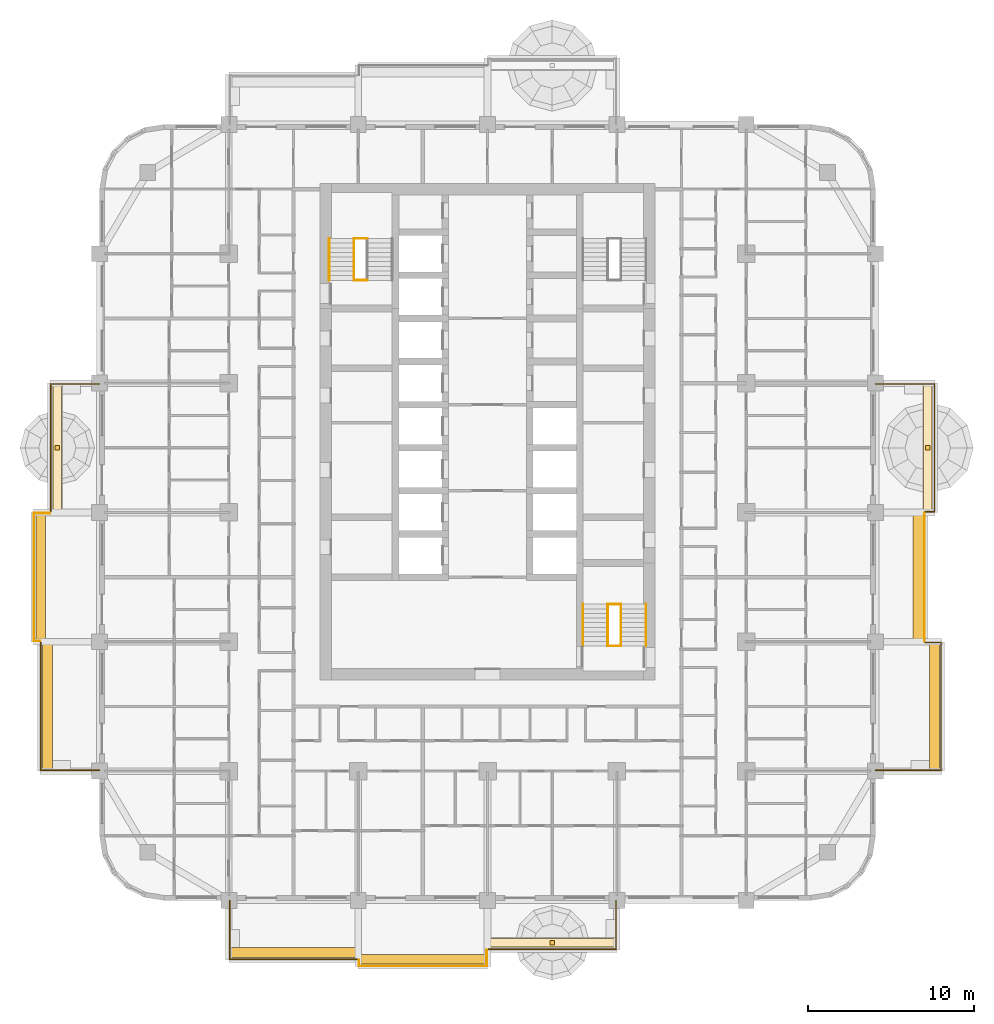
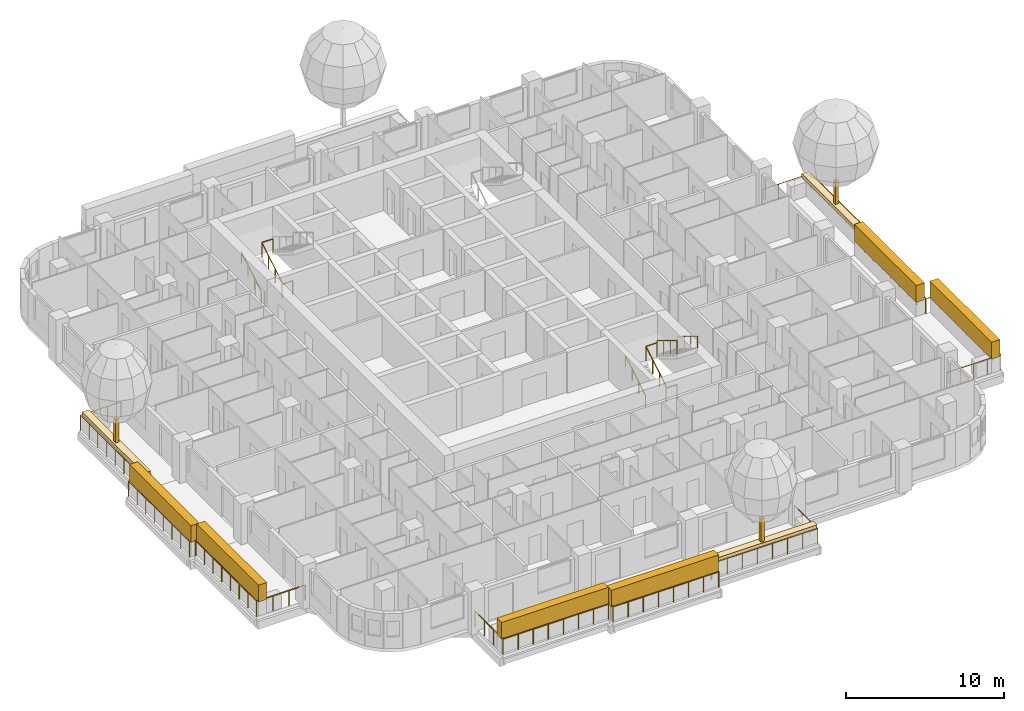
# One storey, part 16 of 18: 19 railings, 12 coverings, 2 elements without a shape of their own.
"""IFC4 building model written with IfcOpenShell, lengths in metres."""

import ifcopenshell
import ifcopenshell.guid

model = None  # the IFC model being written
_history = None  # IfcOwnerHistory: only IFC2X3 demands one
_inside = {}  # id of a spatial element -> (the spatial element, [elements in it])
_under = {}  # id of a project, library or spatial element -> (it, [spatial elements below it])
_declared = {}  # id of a project -> (the project, [libraries it declares])
_typed = {}  # id of a type object -> (the type object, [elements of that type])
_made_of = {}  # id of a material, layer set ... -> (it, [elements and type objects made of it])


def new_model(schema):
    """Start an empty IFC model of exactly this schema.

    Asked for "IFC4X3", IfcOpenShell would pick the latest addendum, in which some entities
    have other attributes; the version numbers below select the first issue.
    IFC2X3 requires an IfcOwnerHistory on every rooted entity: one is made here for all.
    """
    global model, _history
    if schema == "IFC4X3":
        model = ifcopenshell.file(schema_version=(4, 3, 0, 0))
    else:
        model = ifcopenshell.file(schema=schema)
    _inside.clear()
    _under.clear()
    _declared.clear()
    _typed.clear()
    _made_of.clear()
    _history = None
    if model.schema == "IFC2X3":
        org = make("IfcOrganization", Name="unknown")
        user = make(
            "IfcPersonAndOrganization",
            ThePerson=make("IfcPerson", FamilyName="unknown"),
            TheOrganization=org,
        )
        app = make(
            "IfcApplication",
            ApplicationDeveloper=org,
            Version="unknown",
            ApplicationFullName="unknown",
            ApplicationIdentifier="unknown",
        )
        _history = make(
            "IfcOwnerHistory",
            OwningUser=user,
            OwningApplication=app,
            ChangeAction="ADDED",
            CreationDate=0,
        )
    return model


def make(cls, **values):
    """One entity of the class cls with the attributes given. An attribute that is None is left unset."""
    return model.create_entity(
        cls, **{name: value for name, value in values.items() if value is not None}
    )


def rooted(cls, **values):
    """An entity with a GlobalId (a new one), such as an element, a storey or a relation."""
    return make(cls, GlobalId=ifcopenshell.guid.new(), OwnerHistory=_history, **values)


def si_unit(unit_type, name, prefix=None):
    """IfcSIUnit, for example si_unit("LENGTHUNIT", "METRE", prefix="MILLI")."""
    return make("IfcSIUnit", UnitType=unit_type, Prefix=prefix, Name=name)


def assignment(units):
    """IfcUnitAssignment: the units of a project."""
    return None if units is None else make("IfcUnitAssignment", Units=units)


def point(xyz):
    """IfcCartesianPoint."""
    return None if xyz is None else make("IfcCartesianPoint", Coordinates=xyz)


def direction(xyz):
    """IfcDirection."""
    return None if xyz is None else make("IfcDirection", DirectionRatios=xyz)


def frame(location, z_axis=None, x_axis=None):
    """IfcAxis2Placement3D, a coordinate frame: its origin and axes. An axis left out is left unset."""
    return make(
        "IfcAxis2Placement3D",
        Location=point(location),
        Axis=direction(z_axis),
        RefDirection=direction(x_axis),
    )


def frame_2d(location, x_axis=None):
    """IfcAxis2Placement2D, a coordinate frame in the plane: its origin and x axis."""
    return make(
        "IfcAxis2Placement2D", Location=point(location), RefDirection=direction(x_axis)
    )


def origin():
    """The frame at (0, 0, 0) with its axes left unset."""
    return frame((0.0, 0.0, 0.0))


def origin_2d():
    """The frame at (0, 0) in the plane with its x axis left unset."""
    return frame_2d((0.0, 0.0))


def place(relative_to, where):
    """IfcLocalPlacement: puts the frame where relative to a parent placement (None: the world)."""
    return make(
        "IfcLocalPlacement", PlacementRelTo=relative_to, RelativePlacement=where
    )


def context(
    kind, dimensions, precision=None, world=None, true_north=None, identifier=None
):
    """IfcGeometricRepresentationContext, for example the 3D "Model" context."""
    return make(
        "IfcGeometricRepresentationContext",
        ContextIdentifier=identifier,
        ContextType=kind,
        CoordinateSpaceDimension=dimensions,
        Precision=precision,
        WorldCoordinateSystem=world,
        TrueNorth=true_north,
    )


def subcontext(parent, identifier, kind, view, scale=None):
    """IfcGeometricRepresentationSubContext, for example "Body" below "Model"."""
    return make(
        "IfcGeometricRepresentationSubContext",
        ContextIdentifier=identifier,
        ContextType=kind,
        ParentContext=parent,
        TargetScale=scale,
        TargetView=view,
    )


def project(units=None, contexts=None):
    """IfcProject with its units and contexts."""
    return rooted(
        "IfcProject",
        Name="project",
        RepresentationContexts=contexts,
        UnitsInContext=assignment(units),
    )


def spatial(cls, under=None, at=None, **own):
    """A site, building, storey or space (cls), placed at a placement, below another one or the project."""
    s = rooted(cls, ObjectPlacement=at, **own)
    if under is not None:
        _under.setdefault(under.id(), (under, []))[1].append(s)
    return s


def profile(cls, at=None, kind="AREA", **sizes):
    """A parametric profile (cls). Its sizes go by their IFC names, for example OverallWidth=200.0."""
    return make(cls, ProfileType=kind, Position=at, **sizes)


def rectangle(**sizes):
    """IfcRectangleProfileDef."""
    return profile("IfcRectangleProfileDef", **sizes)


def circle(**sizes):
    """IfcCircleProfileDef."""
    return profile("IfcCircleProfileDef", **sizes)


def extrude(swept, where, along, depth):
    """IfcExtrudedAreaSolid: the profile swept, set in the frame where, extruded along a direction by depth."""
    return make(
        "IfcExtrudedAreaSolid",
        SweptArea=swept,
        Position=where,
        ExtrudedDirection=direction(along),
        Depth=depth,
    )


def shape(context_of_items, identifier, shape_type, items):
    """IfcShapeRepresentation: the items that make up one representation, for example the "Body"."""
    return make(
        "IfcShapeRepresentation",
        ContextOfItems=context_of_items,
        RepresentationIdentifier=identifier,
        RepresentationType=shape_type,
        Items=items,
    )


def material(Name=None, Category=None):
    """IfcMaterial."""
    return make("IfcMaterial", Name=Name, Category=Category)


def layer(
    of_material, thickness, ventilated=None, Name=None, Category=None, Priority=None
):
    """IfcMaterialLayer: one layer of a wall or slab, of a material (None: an air gap)."""
    return make(
        "IfcMaterialLayer",
        Material=of_material,
        LayerThickness=thickness,
        IsVentilated=ventilated,
        Name=Name,
        Category=Category,
        Priority=Priority,
    )


def layer_set(layers, Name=None):
    """IfcMaterialLayerSet."""
    return make("IfcMaterialLayerSet", MaterialLayers=layers, LayerSetName=Name)


def made_of(thing, what):
    """Note that an element or type object is made of a material, layer set ...; save() writes the relation."""
    if what is not None:
        _made_of.setdefault(what.id(), (what, []))[1].append(thing)
    return thing


def type_object(cls, material=None, **own):
    """A type object (cls), such as IfcWallType, which elements share."""
    return made_of(rooted(cls, **own), material)


def element(
    cls,
    number,
    at=None,
    inside=None,
    cuts=None,
    type_object=None,
    material=None,
    context=None,
    identifier="Body",
    shape_type=None,
    held_by="IfcProductDefinitionShape",
    body=None,
    shapes=None,
    **own,
):
    """One element of the class cls, such as IfcWall. Its Tag is "e" and its number.

    at: its placement. inside: the storey or other place that contains it. cuts: it is an
    opening in that element (IfcRelVoidsElement). A single representation is given by context,
    identifier, shape_type and body (its items); several are given by shapes. held_by: the class
    of the entity that holds the representations. save() writes the other relations.
    """
    e = rooted(cls, Tag="e%d" % number, ObjectPlacement=at, **own)
    if body is not None:
        shapes = [shape(context, identifier, shape_type, body)]
    if shapes is not None:
        e.Representation = make(held_by, Representations=shapes)
    if inside is not None:
        _inside.setdefault(inside.id(), (inside, []))[1].append(e)
    if cuts is not None:
        rooted(
            "IfcRelVoidsElement", RelatingBuildingElement=cuts, RelatedOpeningElement=e
        )
    if type_object is not None:
        _typed.setdefault(type_object.id(), (type_object, []))[1].append(e)
    return made_of(e, material)


def aggregate(whole, parts):
    """IfcRelAggregates: a whole, such as a stair, and the parts it consists of."""
    return rooted("IfcRelAggregates", RelatingObject=whole, RelatedObjects=parts)


def save(model, path):
    """Write the relations noted so far, then the file.

    IfcRelAggregates (storeys below a building ...), IfcRelContainedInSpatialStructure (elements
    in a storey), IfcRelDefinesByType, IfcRelAssociatesMaterial and IfcRelDeclares: one each for
    every whole, place, type object, material and project.
    """
    for whole, parts in _under.values():
        aggregate(whole, parts)
    for where, things in _inside.values():
        rooted(
            "IfcRelContainedInSpatialStructure",
            RelatedElements=things,
            RelatingStructure=where,
        )
    for kind, things in _typed.values():
        rooted("IfcRelDefinesByType", RelatedObjects=things, RelatingType=kind)
    for what, things in _made_of.values():
        rooted("IfcRelAssociatesMaterial", RelatedObjects=things, RelatingMaterial=what)
    for by, libraries in _declared.values():
        rooted("IfcRelDeclares", RelatingContext=by, RelatedDefinitions=libraries)
    model.write(path)


model = new_model("IFC4")

# Units and contexts
model_context = context("Model", 3, precision=1e-05, world=origin(), true_north=direction((0.0, 1.0)))
body_context = subcontext(model_context, "Body", "Model", "MODEL_VIEW")
ifc_project = project(units=[si_unit("LENGTHUNIT", "METRE"), si_unit("AREAUNIT", "SQUARE_METRE"), si_unit("VOLUMEUNIT", "CUBIC_METRE"), si_unit("PLANEANGLEUNIT", "RADIAN"), si_unit("MASSUNIT", "GRAM", prefix="KILO")], contexts=[model_context])

# Site, building, storey
site_placement = place(None, origin())
site = spatial("IfcSite", under=ifc_project, at=site_placement, CompositionType="ELEMENT")
building_placement = place(site_placement, origin())
building = spatial("IfcBuilding", under=site, at=building_placement, Name="Ludao Terraces", CompositionType="ELEMENT")
storey_placement = place(building_placement, frame((0.0, 0.0, 58.0)))
storey = spatial("IfcBuildingStorey", under=building, at=storey_placement, Name="L15", CompositionType="ELEMENT", Elevation=58.0)

# Railings
ifc_material_1 = material(Name="Stainless steel 304", Category="steel")
railing_type_1 = type_object("IfcRailingType", Name="ENV Balcony glass guard 1200", PredefinedType="GUARDRAIL", material=ifc_material_1)
railing_1_placement = place(storey_placement, frame((69.449951171875, 41.60009765625, 0.0)))
element("IfcRailing", 1, at=railing_1_placement, inside=storey, type_object=railing_type_1, Name="Balcony guard L15 S1", PredefinedType="GUARDRAIL", context=body_context, shape_type="SweptSolid", body=[
    extrude(circle(Radius=0.02392578125, at=origin_2d()), frame((0.0, 0.0, 1.17578125), z_axis=(0.0, -1.0, 0.0), x_axis=(1.0, 0.0, 0.0)), (0.0, 0.0, 1.0), 3.550048828125),
    extrude(circle(Radius=0.02392578125, at=origin_2d()), frame((0.0, -3.550048828125, 1.17578125), z_axis=(1.0, 0.0, 0.0), x_axis=(0.0, 1.0, 0.0)), (0.0, 0.0, 1.0), 7.699951171875),
    extrude(circle(Radius=0.02099609375, at=origin_2d()), origin(), (0.0, 0.0, 1.0), 1.15185546875),
    extrude(circle(Radius=0.02099609375, at=origin_2d()), frame((0.0, -1.183349609375, 0.0)), (0.0, 0.0, 1.0), 1.15185546875),
    extrude(circle(Radius=0.02099609375, at=origin_2d()), frame((0.0, -2.36669921875, 0.0)), (0.0, 0.0, 1.0), 1.15185546875),
    extrude(circle(Radius=0.02099609375, at=origin_2d()), frame((0.0, -3.550048828125, 0.0)), (0.0, 0.0, 1.0), 1.15185546875),
    extrude(circle(Radius=0.02099609375, at=origin_2d()), frame((1.10009765625, -3.550048828125, 0.0)), (0.0, 0.0, 1.0), 1.15185546875),
    extrude(circle(Radius=0.02099609375, at=origin_2d()), frame((2.199951171875, -3.550048828125, 0.0)), (0.0, 0.0, 1.0), 1.15185546875),
    extrude(circle(Radius=0.02099609375, at=origin_2d()), frame((3.300048828125, -3.550048828125, 0.0)), (0.0, 0.0, 1.0), 1.15185546875),
    extrude(circle(Radius=0.02099609375, at=origin_2d()), frame((4.39990234375, -3.550048828125, 0.0)), (0.0, 0.0, 1.0), 1.15185546875),
    extrude(circle(Radius=0.02099609375, at=origin_2d()), frame((5.5, -3.550048828125, 0.0)), (0.0, 0.0, 1.0), 1.15185546875),
    extrude(circle(Radius=0.02099609375, at=origin_2d()), frame((6.599853515625, -3.550048828125, 0.0)), (0.0, 0.0, 1.0), 1.15185546875),
    extrude(circle(Radius=0.02099609375, at=origin_2d()), frame((7.699951171875, -3.550048828125, 0.0)), (0.0, 0.0, 1.0), 1.15185546875),
])
railing_2_placement = place(storey_placement, frame((77.25, 38.0, 0.0)))
element("IfcRailing", 2, at=railing_2_placement, inside=storey, type_object=railing_type_1, Name="Balcony guard L15 S2", PredefinedType="GUARDRAIL", context=body_context, shape_type="SweptSolid", body=[
    extrude(circle(Radius=0.02392578125, at=origin_2d()), frame((0.0, 0.0, 1.17578125), z_axis=(0.0, -1.0, 0.0), x_axis=(1.0, 0.0, 0.0)), (0.0, 0.0, 1.0), 0.35009765625),
    extrude(circle(Radius=0.02392578125, at=origin_2d()), frame((0.0, -0.35009765625, 1.17578125), z_axis=(1.0, 0.0, 0.0), x_axis=(0.0, 1.0, 0.0)), (0.0, 0.0, 1.0), 7.699951171875),
    extrude(circle(Radius=0.02392578125, at=origin_2d()), frame((7.699951171875, -0.35009765625, 1.17578125), z_axis=(0.0, 1.0, 0.0), x_axis=(-1.0, 0.0, 0.0)), (0.0, 0.0, 1.0), 0.9501953125),
    extrude(circle(Radius=0.02099609375, at=origin_2d()), origin(), (0.0, 0.0, 1.0), 1.15185546875),
    extrude(circle(Radius=0.02099609375, at=origin_2d()), frame((0.0, -0.35009765625, 0.0)), (0.0, 0.0, 1.0), 1.15185546875),
    extrude(circle(Radius=0.02099609375, at=origin_2d()), frame((1.10009765625, -0.35009765625, 0.0)), (0.0, 0.0, 1.0), 1.15185546875),
    extrude(circle(Radius=0.02099609375, at=origin_2d()), frame((2.199951171875, -0.35009765625, 0.0)), (0.0, 0.0, 1.0), 1.15185546875),
    extrude(circle(Radius=0.02099609375, at=origin_2d()), frame((3.300048828125, -0.35009765625, 0.0)), (0.0, 0.0, 1.0), 1.15185546875),
    extrude(circle(Radius=0.02099609375, at=origin_2d()), frame((4.39990234375, -0.35009765625, 0.0)), (0.0, 0.0, 1.0), 1.15185546875),
    extrude(circle(Radius=0.02099609375, at=origin_2d()), frame((5.5, -0.35009765625, 0.0)), (0.0, 0.0, 1.0), 1.15185546875),
    extrude(circle(Radius=0.02099609375, at=origin_2d()), frame((6.599853515625, -0.35009765625, 0.0)), (0.0, 0.0, 1.0), 1.15185546875),
    extrude(circle(Radius=0.02099609375, at=origin_2d()), frame((7.699951171875, -0.35009765625, 0.0)), (0.0, 0.0, 1.0), 1.15185546875),
    extrude(circle(Radius=0.02099609375, at=origin_2d()), frame((7.699951171875, 0.60009765625, 0.0)), (0.0, 0.0, 1.0), 1.15185546875),
])
railing_3_placement = place(storey_placement, frame((85.050048828125, 38.64990234375, 0.0)))
element("IfcRailing", 3, at=railing_3_placement, inside=storey, type_object=railing_type_1, Name="Balcony guard L15 S3", PredefinedType="GUARDRAIL", context=body_context, shape_type="SweptSolid", body=[
    extrude(circle(Radius=0.02392578125, at=origin_2d()), frame((0.0, 0.0, 1.17578125), z_axis=(1.0, 0.0, 0.0), x_axis=(0.0, 1.0, 0.0)), (0.0, 0.0, 1.0), 7.699951171875),
    extrude(circle(Radius=0.02392578125, at=origin_2d()), frame((7.699951171875, 0.0, 1.17578125), z_axis=(0.0, 1.0, 0.0), x_axis=(-1.0, 0.0, 0.0)), (0.0, 0.0, 1.0), 2.9501953125),
    extrude(circle(Radius=0.02099609375, at=origin_2d()), origin(), (0.0, 0.0, 1.0), 1.15185546875),
    extrude(circle(Radius=0.02099609375, at=origin_2d()), frame((1.10009765625, 0.0, 0.0)), (0.0, 0.0, 1.0), 1.15185546875),
    extrude(circle(Radius=0.02099609375, at=origin_2d()), frame((2.199951171875, 0.0, 0.0)), (0.0, 0.0, 1.0), 1.15185546875),
    extrude(circle(Radius=0.02099609375, at=origin_2d()), frame((3.300048828125, 0.0, 0.0)), (0.0, 0.0, 1.0), 1.15185546875),
    extrude(circle(Radius=0.02099609375, at=origin_2d()), frame((4.39990234375, 0.0, 0.0)), (0.0, 0.0, 1.0), 1.15185546875),
    extrude(circle(Radius=0.02099609375, at=origin_2d()), frame((5.5, 0.0, 0.0)), (0.0, 0.0, 1.0), 1.15185546875),
    extrude(circle(Radius=0.02099609375, at=origin_2d()), frame((6.599853515625, 0.0, 0.0)), (0.0, 0.0, 1.0), 1.15185546875),
    extrude(circle(Radius=0.02099609375, at=origin_2d()), frame((7.699951171875, 0.0, 0.0)), (0.0, 0.0, 1.0), 1.15185546875),
    extrude(circle(Radius=0.02099609375, at=origin_2d()), frame((7.699951171875, 0.9833984375, 0.0)), (0.0, 0.0, 1.0), 1.15185546875),
    extrude(circle(Radius=0.02099609375, at=origin_2d()), frame((7.699951171875, 1.966796875, 0.0)), (0.0, 0.0, 1.0), 1.15185546875),
    extrude(circle(Radius=0.02099609375, at=origin_2d()), frame((7.699951171875, 2.9501953125, 0.0)), (0.0, 0.0, 1.0), 1.15185546875),
])
railing_4_placement = place(storey_placement, frame((108.39990234375, 49.449951171875, 0.0)))
element("IfcRailing", 4, at=railing_4_placement, inside=storey, type_object=railing_type_1, Name="Balcony guard L15 E1", PredefinedType="GUARDRAIL", context=body_context, shape_type="SweptSolid", body=[
    extrude(circle(Radius=0.02392578125, at=origin_2d()), frame((0.0, 0.0, 1.17578125), z_axis=(1.0, 0.0, 0.0), x_axis=(0.0, 1.0, 0.0)), (0.0, 0.0, 1.0), 3.9501953125),
    extrude(circle(Radius=0.02392578125, at=origin_2d()), frame((3.9501953125, 0.0, 1.17578125), z_axis=(0.0, 1.0, 0.0), x_axis=(-1.0, 0.0, 0.0)), (0.0, 0.0, 1.0), 7.699951171875),
    extrude(circle(Radius=0.02392578125, at=origin_2d()), frame((3.9501953125, 7.699951171875, 1.17578125), z_axis=(-1.0, 0.0, 0.0), x_axis=(0.0, -1.0, 0.0)), (0.0, 0.0, 1.0), 0.9501953125),
    extrude(circle(Radius=0.02099609375, at=origin_2d()), origin(), (0.0, 0.0, 1.0), 1.15185546875),
    extrude(circle(Radius=0.02099609375, at=origin_2d()), frame((0.987548828125, 0.0, 0.0)), (0.0, 0.0, 1.0), 1.15185546875),
    extrude(circle(Radius=0.02099609375, at=origin_2d()), frame((1.97509765625, 0.0, 0.0)), (0.0, 0.0, 1.0), 1.15185546875),
    extrude(circle(Radius=0.02099609375, at=origin_2d()), frame((2.962646484375, 0.0, 0.0)), (0.0, 0.0, 1.0), 1.15185546875),
    extrude(circle(Radius=0.02099609375, at=origin_2d()), frame((3.9501953125, 0.0, 0.0)), (0.0, 0.0, 1.0), 1.15185546875),
    extrude(circle(Radius=0.02099609375, at=origin_2d()), frame((3.9501953125, 1.10009765625, 0.0)), (0.0, 0.0, 1.0), 1.15185546875),
    extrude(circle(Radius=0.02099609375, at=origin_2d()), frame((3.9501953125, 2.199951171875, 0.0)), (0.0, 0.0, 1.0), 1.15185546875),
    extrude(circle(Radius=0.02099609375, at=origin_2d()), frame((3.9501953125, 3.300048828125, 0.0)), (0.0, 0.0, 1.0), 1.15185546875),
    extrude(circle(Radius=0.02099609375, at=origin_2d()), frame((3.9501953125, 4.39990234375, 0.0)), (0.0, 0.0, 1.0), 1.15185546875),
    extrude(circle(Radius=0.02099609375, at=origin_2d()), frame((3.9501953125, 5.5, 0.0)), (0.0, 0.0, 1.0), 1.15185546875),
    extrude(circle(Radius=0.02099609375, at=origin_2d()), frame((3.9501953125, 6.599853515625, 0.0)), (0.0, 0.0, 1.0), 1.15185546875),
    extrude(circle(Radius=0.02099609375, at=origin_2d()), frame((3.9501953125, 7.699951171875, 0.0)), (0.0, 0.0, 1.0), 1.15185546875),
    extrude(circle(Radius=0.02099609375, at=origin_2d()), frame((3.0, 7.699951171875, 0.0)), (0.0, 0.0, 1.0), 1.15185546875),
])
railing_5_placement = place(storey_placement, frame((111.35009765625, 57.25, 0.0)))
element("IfcRailing", 5, at=railing_5_placement, inside=storey, type_object=railing_type_1, Name="Balcony guard L15 E2", PredefinedType="GUARDRAIL", context=body_context, shape_type="SweptSolid", body=[
    extrude(circle(Radius=0.02392578125, at=origin_2d()), frame((0.0, 0.0, 1.17578125), z_axis=(0.0, 1.0, 0.0), x_axis=(-1.0, 0.0, 0.0)), (0.0, 0.0, 1.0), 7.699951171875),
    extrude(circle(Radius=0.02099609375, at=origin_2d()), origin(), (0.0, 0.0, 1.0), 1.15185546875),
    extrude(circle(Radius=0.02099609375, at=origin_2d()), frame((0.0, 1.10009765625, 0.0)), (0.0, 0.0, 1.0), 1.15185546875),
    extrude(circle(Radius=0.02099609375, at=origin_2d()), frame((0.0, 2.199951171875, 0.0)), (0.0, 0.0, 1.0), 1.15185546875),
    extrude(circle(Radius=0.02099609375, at=origin_2d()), frame((0.0, 3.300048828125, 0.0)), (0.0, 0.0, 1.0), 1.15185546875),
    extrude(circle(Radius=0.02099609375, at=origin_2d()), frame((0.0, 4.39990234375, 0.0)), (0.0, 0.0, 1.0), 1.15185546875),
    extrude(circle(Radius=0.02099609375, at=origin_2d()), frame((0.0, 5.5, 0.0)), (0.0, 0.0, 1.0), 1.15185546875),
    extrude(circle(Radius=0.02099609375, at=origin_2d()), frame((0.0, 6.599853515625, 0.0)), (0.0, 0.0, 1.0), 1.15185546875),
    extrude(circle(Radius=0.02099609375, at=origin_2d()), frame((0.0, 7.699951171875, 0.0)), (0.0, 0.0, 1.0), 1.15185546875),
])
railing_6_placement = place(storey_placement, frame((111.39990234375, 65.050048828125, 0.0)))
element("IfcRailing", 6, at=railing_6_placement, inside=storey, type_object=railing_type_1, Name="Balcony guard L15 E3", PredefinedType="GUARDRAIL", context=body_context, shape_type="SweptSolid", body=[
    extrude(circle(Radius=0.02392578125, at=origin_2d()), frame((0.0, 0.0, 1.17578125), z_axis=(1.0, 0.0, 0.0), x_axis=(0.0, 1.0, 0.0)), (0.0, 0.0, 1.0), 0.550048828125),
    extrude(circle(Radius=0.02392578125, at=origin_2d()), frame((0.550048828125, 0.0, 1.17578125), z_axis=(0.0, 1.0, 0.0), x_axis=(-1.0, 0.0, 0.0)), (0.0, 0.0, 1.0), 7.699951171875),
    extrude(circle(Radius=0.02392578125, at=origin_2d()), frame((0.550048828125, 7.699951171875, 1.17578125), z_axis=(-1.0, 0.0, 0.0), x_axis=(0.0, -1.0, 0.0)), (0.0, 0.0, 1.0), 3.550048828125),
    extrude(circle(Radius=0.02099609375, at=origin_2d()), origin(), (0.0, 0.0, 1.0), 1.15185546875),
    extrude(circle(Radius=0.02099609375, at=origin_2d()), frame((0.550048828125, 0.0, 0.0)), (0.0, 0.0, 1.0), 1.15185546875),
    extrude(circle(Radius=0.02099609375, at=origin_2d()), frame((0.550048828125, 1.10009765625, 0.0)), (0.0, 0.0, 1.0), 1.15185546875),
    extrude(circle(Radius=0.02099609375, at=origin_2d()), frame((0.550048828125, 2.199951171875, 0.0)), (0.0, 0.0, 1.0), 1.15185546875),
    extrude(circle(Radius=0.02099609375, at=origin_2d()), frame((0.550048828125, 3.300048828125, 0.0)), (0.0, 0.0, 1.0), 1.15185546875),
    extrude(circle(Radius=0.02099609375, at=origin_2d()), frame((0.550048828125, 4.39990234375, 0.0)), (0.0, 0.0, 1.0), 1.15185546875),
    extrude(circle(Radius=0.02099609375, at=origin_2d()), frame((0.550048828125, 5.5, 0.0)), (0.0, 0.0, 1.0), 1.15185546875),
    extrude(circle(Radius=0.02099609375, at=origin_2d()), frame((0.550048828125, 6.599853515625, 0.0)), (0.0, 0.0, 1.0), 1.15185546875),
    extrude(circle(Radius=0.02099609375, at=origin_2d()), frame((0.550048828125, 7.699951171875, 0.0)), (0.0, 0.0, 1.0), 1.15185546875),
    extrude(circle(Radius=0.02099609375, at=origin_2d()), frame((-0.63330078125, 7.699951171875, 0.0)), (0.0, 0.0, 1.0), 1.15185546875),
    extrude(circle(Radius=0.02099609375, at=origin_2d()), frame((-1.816650390625, 7.699951171875, 0.0)), (0.0, 0.0, 1.0), 1.15185546875),
    extrude(circle(Radius=0.02099609375, at=origin_2d()), frame((-3.0, 7.699951171875, 0.0)), (0.0, 0.0, 1.0), 1.15185546875),
])
railing_7_placement = place(storey_placement, frame((61.60009765625, 49.449951171875, 0.0)))
element("IfcRailing", 7, at=railing_7_placement, inside=storey, type_object=railing_type_1, Name="Balcony guard L15 W1", PredefinedType="GUARDRAIL", context=body_context, shape_type="SweptSolid", body=[
    extrude(circle(Radius=0.02392578125, at=origin_2d()), frame((0.0, 0.0, 1.17578125), z_axis=(-1.0, 0.0, 0.0), x_axis=(0.0, -1.0, 0.0)), (0.0, 0.0, 1.0), 3.550048828125),
    extrude(circle(Radius=0.02392578125, at=origin_2d()), frame((-3.550048828125, 0.0, 1.17578125), z_axis=(0.0, 1.0, 0.0), x_axis=(-1.0, 0.0, 0.0)), (0.0, 0.0, 1.0), 7.699951171875),
    extrude(circle(Radius=0.02099609375, at=origin_2d()), origin(), (0.0, 0.0, 1.0), 1.15185546875),
    extrude(circle(Radius=0.02099609375, at=origin_2d()), frame((-1.183349609375, 0.0, 0.0)), (0.0, 0.0, 1.0), 1.15185546875),
    extrude(circle(Radius=0.02099609375, at=origin_2d()), frame((-2.36669921875, 0.0, 0.0)), (0.0, 0.0, 1.0), 1.15185546875),
    extrude(circle(Radius=0.02099609375, at=origin_2d()), frame((-3.550048828125, 0.0, 0.0)), (0.0, 0.0, 1.0), 1.15185546875),
    extrude(circle(Radius=0.02099609375, at=origin_2d()), frame((-3.550048828125, 1.10009765625, 0.0)), (0.0, 0.0, 1.0), 1.15185546875),
    extrude(circle(Radius=0.02099609375, at=origin_2d()), frame((-3.550048828125, 2.199951171875, 0.0)), (0.0, 0.0, 1.0), 1.15185546875),
    extrude(circle(Radius=0.02099609375, at=origin_2d()), frame((-3.550048828125, 3.300048828125, 0.0)), (0.0, 0.0, 1.0), 1.15185546875),
    extrude(circle(Radius=0.02099609375, at=origin_2d()), frame((-3.550048828125, 4.39990234375, 0.0)), (0.0, 0.0, 1.0), 1.15185546875),
    extrude(circle(Radius=0.02099609375, at=origin_2d()), frame((-3.550048828125, 5.5, 0.0)), (0.0, 0.0, 1.0), 1.15185546875),
    extrude(circle(Radius=0.02099609375, at=origin_2d()), frame((-3.550048828125, 6.599853515625, 0.0)), (0.0, 0.0, 1.0), 1.15185546875),
    extrude(circle(Radius=0.02099609375, at=origin_2d()), frame((-3.550048828125, 7.699951171875, 0.0)), (0.0, 0.0, 1.0), 1.15185546875),
])
railing_8_placement = place(storey_placement, frame((58.0, 57.25, 0.0)))
element("IfcRailing", 8, at=railing_8_placement, inside=storey, type_object=railing_type_1, Name="Balcony guard L15 W2", PredefinedType="GUARDRAIL", context=body_context, shape_type="SweptSolid", body=[
    extrude(circle(Radius=0.02392578125, at=origin_2d()), frame((0.0, 0.0, 1.17578125), z_axis=(-1.0, 0.0, 0.0), x_axis=(0.0, -1.0, 0.0)), (0.0, 0.0, 1.0), 0.35009765625),
    extrude(circle(Radius=0.02392578125, at=origin_2d()), frame((-0.35009765625, 0.0, 1.17578125), z_axis=(0.0, 1.0, 0.0), x_axis=(-1.0, 0.0, 0.0)), (0.0, 0.0, 1.0), 7.699951171875),
    extrude(circle(Radius=0.02392578125, at=origin_2d()), frame((-0.35009765625, 7.699951171875, 1.17578125), z_axis=(1.0, 0.0, 0.0), x_axis=(0.0, 1.0, 0.0)), (0.0, 0.0, 1.0), 0.9501953125),
    extrude(circle(Radius=0.02099609375, at=origin_2d()), origin(), (0.0, 0.0, 1.0), 1.15185546875),
    extrude(circle(Radius=0.02099609375, at=origin_2d()), frame((-0.35009765625, 0.0, 0.0)), (0.0, 0.0, 1.0), 1.15185546875),
    extrude(circle(Radius=0.02099609375, at=origin_2d()), frame((-0.35009765625, 1.10009765625, 0.0)), (0.0, 0.0, 1.0), 1.15185546875),
    extrude(circle(Radius=0.02099609375, at=origin_2d()), frame((-0.35009765625, 2.199951171875, 0.0)), (0.0, 0.0, 1.0), 1.15185546875),
    extrude(circle(Radius=0.02099609375, at=origin_2d()), frame((-0.35009765625, 3.300048828125, 0.0)), (0.0, 0.0, 1.0), 1.15185546875),
    extrude(circle(Radius=0.02099609375, at=origin_2d()), frame((-0.35009765625, 4.39990234375, 0.0)), (0.0, 0.0, 1.0), 1.15185546875),
    extrude(circle(Radius=0.02099609375, at=origin_2d()), frame((-0.35009765625, 5.5, 0.0)), (0.0, 0.0, 1.0), 1.15185546875),
    extrude(circle(Radius=0.02099609375, at=origin_2d()), frame((-0.35009765625, 6.599853515625, 0.0)), (0.0, 0.0, 1.0), 1.15185546875),
    extrude(circle(Radius=0.02099609375, at=origin_2d()), frame((-0.35009765625, 7.699951171875, 0.0)), (0.0, 0.0, 1.0), 1.15185546875),
    extrude(circle(Radius=0.02099609375, at=origin_2d()), frame((0.60009765625, 7.699951171875, 0.0)), (0.0, 0.0, 1.0), 1.15185546875),
])
railing_9_placement = place(storey_placement, frame((58.64990234375, 65.050048828125, 0.0)))
element("IfcRailing", 9, at=railing_9_placement, inside=storey, type_object=railing_type_1, Name="Balcony guard L15 W3", PredefinedType="GUARDRAIL", context=body_context, shape_type="SweptSolid", body=[
    extrude(circle(Radius=0.02392578125, at=origin_2d()), frame((0.0, 0.0, 1.17578125), z_axis=(0.0, 1.0, 0.0), x_axis=(-1.0, 0.0, 0.0)), (0.0, 0.0, 1.0), 7.699951171875),
    extrude(circle(Radius=0.02392578125, at=origin_2d()), frame((0.0, 7.699951171875, 1.17578125), z_axis=(1.0, 0.0, 0.0), x_axis=(0.0, 1.0, 0.0)), (0.0, 0.0, 1.0), 2.9501953125),
    extrude(circle(Radius=0.02099609375, at=origin_2d()), origin(), (0.0, 0.0, 1.0), 1.15185546875),
    extrude(circle(Radius=0.02099609375, at=origin_2d()), frame((0.0, 1.10009765625, 0.0)), (0.0, 0.0, 1.0), 1.15185546875),
    extrude(circle(Radius=0.02099609375, at=origin_2d()), frame((0.0, 2.199951171875, 0.0)), (0.0, 0.0, 1.0), 1.15185546875),
    extrude(circle(Radius=0.02099609375, at=origin_2d()), frame((0.0, 3.300048828125, 0.0)), (0.0, 0.0, 1.0), 1.15185546875),
    extrude(circle(Radius=0.02099609375, at=origin_2d()), frame((0.0, 4.39990234375, 0.0)), (0.0, 0.0, 1.0), 1.15185546875),
    extrude(circle(Radius=0.02099609375, at=origin_2d()), frame((0.0, 5.5, 0.0)), (0.0, 0.0, 1.0), 1.15185546875),
    extrude(circle(Radius=0.02099609375, at=origin_2d()), frame((0.0, 6.599853515625, 0.0)), (0.0, 0.0, 1.0), 1.15185546875),
    extrude(circle(Radius=0.02099609375, at=origin_2d()), frame((0.0, 7.699951171875, 0.0)), (0.0, 0.0, 1.0), 1.15185546875),
    extrude(circle(Radius=0.02099609375, at=origin_2d()), frame((0.9833984375, 7.699951171875, 0.0)), (0.0, 0.0, 1.0), 1.15185546875),
    extrude(circle(Radius=0.02099609375, at=origin_2d()), frame((1.966796875, 7.699951171875, 0.0)), (0.0, 0.0, 1.0), 1.15185546875),
    extrude(circle(Radius=0.02099609375, at=origin_2d()), frame((2.9501953125, 7.699951171875, 0.0)), (0.0, 0.0, 1.0), 1.15185546875),
])

# Coverings
ifc_material_2 = material(Name="Planting")
ifc_layer_1 = layer(ifc_material_2, 0.5)
ifc_layer_set_1 = layer_set([ifc_layer_1], Name="ENV Planting bed 250")
covering_type_1 = type_object("IfcCoveringType", Name="ENV Planting bed 250", PredefinedType="USERDEFINED", material=ifc_layer_set_1)
covering_placement = place(storey_placement, frame((88.89990234375, 39.050048828125, 1.10009765625), z_axis=(0.0, 0.0, 1.0), x_axis=(1.0, 0.0, 0.0)))
element("IfcCovering", 10, at=covering_placement, inside=storey, type_object=covering_type_1, Name="Planting bed L15-S3", ObjectType="PLANTING", PredefinedType="USERDEFINED", context=body_context, shape_type="SweptSolid", body=[
    extrude(rectangle(XDim=7.800048828125, YDim=0.5, at=origin_2d()), origin(), (0.0, 0.0, 1.0), 0.25),
])
for number, where, z_axis, x_axis, name in (
    (11, (111.550048828125, 68.89990234375, 1.10009765625), (0.0, 0.0, 1.0), (1.0, 0.0, 0.0), "Planting bed L15-E3"),
    (12, (59.050048828125, 68.89990234375, 1.10009765625), (0.0, 0.0, 1.0), (1.0, 0.0, 0.0), "Planting bed L15-W3"),
):
    element("IfcCovering", number, at=place(storey_placement, frame(where, z_axis=z_axis, x_axis=x_axis)), inside=storey, type_object=covering_type_1, Name=name, ObjectType="PLANTING", PredefinedType="USERDEFINED", context=body_context, shape_type="SweptSolid", body=[
        extrude(rectangle(XDim=0.5, YDim=7.800048828125, at=origin_2d()), origin(), (0.0, 0.0, 1.0), 0.25),
    ])
ifc_layer_2 = layer(ifc_material_2, 0.60009765625)
ifc_layer_set_2 = layer_set([ifc_layer_2], Name="ENV Planting hedge 600x1300")
covering_type_2 = type_object("IfcCoveringType", Name="ENV Planting hedge 600x1300", PredefinedType="USERDEFINED", material=ifc_layer_set_2)
for number, where, z_axis, x_axis, name in (
    (13, (73.300048828125, 38.449951171875, 1.10009765625), (0.0, 0.0, 1.0), (1.0, 0.0, 0.0), "Planting hedge L15-S1"),
    (14, (81.10009765625, 38.050048828125, 1.10009765625), (0.0, 0.0, 1.0), (1.0, 0.0, 0.0), "Planting hedge L15-S2"),
):
    element("IfcCovering", number, at=place(storey_placement, frame(where, z_axis=z_axis, x_axis=x_axis)), inside=storey, type_object=covering_type_2, Name=name, ObjectType="PLANTING", PredefinedType="USERDEFINED", context=body_context, shape_type="SweptSolid", body=[
        extrude(rectangle(XDim=7.800048828125, YDim=0.60009765625, at=origin_2d()), origin(), (0.0, 0.0, 1.0), 1.300048828125),
    ])
for number, where, z_axis, x_axis, name in (
    (15, (111.949951171875, 53.300048828125, 1.10009765625), (0.0, 0.0, 1.0), (1.0, 0.0, 0.0), "Planting hedge L15-E1"),
    (16, (110.949951171875, 61.10009765625, 1.10009765625), (0.0, 0.0, 1.0), (1.0, 0.0, 0.0), "Planting hedge L15-E2"),
    (17, (58.449951171875, 53.300048828125, 1.10009765625), (0.0, 0.0, 1.0), (1.0, 0.0, 0.0), "Planting hedge L15-W1"),
    (18, (58.050048828125, 61.10009765625, 1.10009765625), (0.0, 0.0, 1.0), (1.0, 0.0, 0.0), "Planting hedge L15-W2"),
):
    element("IfcCovering", number, at=place(storey_placement, frame(where, z_axis=z_axis, x_axis=x_axis)), inside=storey, type_object=covering_type_2, Name=name, ObjectType="PLANTING", PredefinedType="USERDEFINED", context=body_context, shape_type="SweptSolid", body=[
        extrude(rectangle(XDim=0.60009765625, YDim=7.800048828125, at=origin_2d()), origin(), (0.0, 0.0, 1.0), 1.300048828125),
    ])
ifc_material_3 = material(Name="Timber tree trunk", Category="wood")
ifc_layer_3 = layer(ifc_material_3, 0.25)
ifc_layer_set_3 = layer_set([ifc_layer_3], Name="ENV Tree trunk 250x1800")
covering_type_3 = type_object("IfcCoveringType", Name="ENV Tree trunk 250x1800", PredefinedType="USERDEFINED", material=ifc_layer_set_3)
for number, where, z_axis, x_axis, name in (
    (19, (88.89990234375, 39.050048828125, 1.35009765625), (0.0, 0.0, 1.0), (1.0, 0.0, 0.0), "Tree trunk L15 S3"),
    (20, (111.550048828125, 68.89990234375, 1.35009765625), (0.0, 0.0, 1.0), (1.0, 0.0, 0.0), "Tree trunk L15 E3"),
    (21, (59.050048828125, 68.89990234375, 1.35009765625), (0.0, 0.0, 1.0), (1.0, 0.0, 0.0), "Tree trunk L15 W3"),
):
    element("IfcCovering", number, at=place(storey_placement, frame(where, z_axis=z_axis, x_axis=x_axis)), inside=storey, type_object=covering_type_3, Name=name, ObjectType="PLANTING", PredefinedType="USERDEFINED", context=body_context, shape_type="SweptSolid", body=[
        extrude(rectangle(XDim=0.25, YDim=0.25, at=origin_2d()), origin(), (0.0, 0.0, 1.0), 1.800048828125),
    ])

# Stair, railings
ifc_material_4 = material(Name="Concrete C40", Category="concrete")
stair_type = type_object("IfcStairType", Name="INT Stair", PredefinedType="HALF_TURN_STAIR", material=ifc_material_4)
stair_1_placement = place(storey_placement, origin())
stair_1 = element("IfcStair", 22, at=stair_1_placement, inside=storey, type_object=stair_type, Name="EXIT STAIR 1", PredefinedType="HALF_TURN_STAIR")
railing_type_2 = type_object("IfcRailingType", Name="INT Stair guard 1100", PredefinedType="GUARDRAIL", material=ifc_material_1)
railing_10_placement = place(storey_placement, frame((76.949951171875, 79.0, 0.169921875)))
railing_10 = element("IfcRailing", 23, at=railing_10_placement, type_object=railing_type_2, Name="ST-L15-S1-R1G", PredefinedType="GUARDRAIL", context=body_context, shape_type="SweptSolid", body=[
    extrude(circle(Radius=0.02392578125, at=origin_2d()), frame((0.0, 0.0, 1.076171875), z_axis=(0.0, 0.85478489116, 0.518982456201), x_axis=(-1.0, 0.0, 0.0)), (0.0, 0.0, 1.0), 2.9482421875),
    extrude(circle(Radius=0.02099609375, at=origin_2d()), origin(), (0.0, 0.0, 1.0), 1.052001953125),
    extrude(circle(Radius=0.02099609375, at=origin_2d()), frame((0.0, 0.840087890625, 0.510009765625)), (0.0, 0.0, 1.0), 1.052001953125),
    extrude(circle(Radius=0.02099609375, at=origin_2d()), frame((0.0, 1.679931640625, 1.02001953125)), (0.0, 0.0, 1.0), 1.052001953125),
    extrude(circle(Radius=0.02099609375, at=origin_2d()), frame((0.0, 2.52001953125, 1.530029296875)), (0.0, 0.0, 1.0), 1.052001953125),
])
railing_11_placement = place(storey_placement, frame((76.949951171875, 81.52001953125, 1.699951171875)))
railing_11 = element("IfcRailing", 24, at=railing_11_placement, type_object=railing_type_2, Name="ST-L15-S1-E1G", PredefinedType="GUARDRAIL", context=body_context, shape_type="SweptSolid", body=[
    extrude(circle(Radius=0.02392578125, at=origin_2d()), frame((0.0, 0.0, 1.076171875), z_axis=(1.0, 0.0, 0.0), x_axis=(0.0, 1.0, 0.0)), (0.0, 0.0, 1.0), 0.800048828125),
    extrude(circle(Radius=0.02099609375, at=origin_2d()), origin(), (0.0, 0.0, 1.0), 1.052001953125),
    extrude(circle(Radius=0.02099609375, at=origin_2d()), frame((0.800048828125, 0.0, 0.0)), (0.0, 0.0, 1.0), 1.052001953125),
])
railing_12_placement = place(storey_placement, frame((76.949951171875, 79.0, 0.0)))
railing_12 = element("IfcRailing", 25, at=railing_12_placement, type_object=railing_type_2, Name="ST-L15-S1-E2G", PredefinedType="GUARDRAIL", context=body_context, shape_type="SweptSolid", body=[
    extrude(circle(Radius=0.02392578125, at=origin_2d()), frame((0.0, 0.0, 1.076171875), z_axis=(1.0, 0.0, 0.0), x_axis=(0.0, 1.0, 0.0)), (0.0, 0.0, 1.0), 0.800048828125),
    extrude(circle(Radius=0.02099609375, at=origin_2d()), origin(), (0.0, 0.0, 1.0), 1.052001953125),
    extrude(circle(Radius=0.02099609375, at=origin_2d()), frame((0.800048828125, 0.0, 0.0)), (0.0, 0.0, 1.0), 1.052001953125),
])

stair_2_placement = place(storey_placement, origin())
stair_2 = element("IfcStair", 26, at=stair_2_placement, inside=storey, type_object=stair_type, Name="EXIT STAIR 3", PredefinedType="HALF_TURN_STAIR")
railing_13_placement = place(storey_placement, frame((92.25, 56.949951171875, 0.169921875)))
railing_13 = element("IfcRailing", 27, at=railing_13_placement, type_object=railing_type_2, Name="ST-L15-S3-R1G", PredefinedType="GUARDRAIL", context=body_context, shape_type="SweptSolid", body=[
    extrude(circle(Radius=0.02392578125, at=origin_2d()), frame((0.0, 0.0, 1.076171875), z_axis=(0.0, 0.85478489116, 0.518982456201), x_axis=(-1.0, 0.0, 0.0)), (0.0, 0.0, 1.0), 2.9482421875),
    extrude(circle(Radius=0.02099609375, at=origin_2d()), origin(), (0.0, 0.0, 1.0), 1.052001953125),
    extrude(circle(Radius=0.02099609375, at=origin_2d()), frame((0.0, 0.840087890625, 0.510009765625)), (0.0, 0.0, 1.0), 1.052001953125),
    extrude(circle(Radius=0.02099609375, at=origin_2d()), frame((0.0, 1.679931640625, 1.02001953125)), (0.0, 0.0, 1.0), 1.052001953125),
    extrude(circle(Radius=0.02099609375, at=origin_2d()), frame((0.0, 2.52001953125, 1.530029296875)), (0.0, 0.0, 1.0), 1.052001953125),
])
railing_14_placement = place(storey_placement, frame((93.050048828125, 59.469970703125, 1.8701171875)))
railing_14 = element("IfcRailing", 28, at=railing_14_placement, type_object=railing_type_2, Name="ST-L15-S3-R2G", PredefinedType="GUARDRAIL", context=body_context, shape_type="SweptSolid", body=[
    extrude(circle(Radius=0.02392578125, at=origin_2d()), frame((0.0, 0.0, 1.076171875), z_axis=(0.0, -0.854821627497, 0.518921945155), x_axis=(1.0, 0.0, 0.0)), (0.0, 0.0, 1.0), 2.947998046875),
    extrude(circle(Radius=0.02099609375, at=origin_2d()), origin(), (0.0, 0.0, 1.0), 1.052001953125),
    extrude(circle(Radius=0.02099609375, at=origin_2d()), frame((0.0, -0.840087890625, 0.510009765625)), (0.0, 0.0, 1.0), 1.052001953125),
    extrude(circle(Radius=0.02099609375, at=origin_2d()), frame((0.0, -1.679931640625, 1.019775390625)), (0.0, 0.0, 1.0), 1.052001953125),
    extrude(circle(Radius=0.02099609375, at=origin_2d()), frame((0.0, -2.52001953125, 1.52978515625)), (0.0, 0.0, 1.0), 1.052001953125),
])
railing_15_placement = place(storey_placement, frame((92.25, 59.469970703125, 1.699951171875)))
railing_15 = element("IfcRailing", 29, at=railing_15_placement, type_object=railing_type_2, Name="ST-L15-S3-E1G", PredefinedType="GUARDRAIL", context=body_context, shape_type="SweptSolid", body=[
    extrude(circle(Radius=0.02392578125, at=origin_2d()), frame((0.0, 0.0, 1.076171875), z_axis=(1.0, 0.0, 0.0), x_axis=(0.0, 1.0, 0.0)), (0.0, 0.0, 1.0), 0.800048828125),
    extrude(circle(Radius=0.02099609375, at=origin_2d()), origin(), (0.0, 0.0, 1.0), 1.052001953125),
    extrude(circle(Radius=0.02099609375, at=origin_2d()), frame((0.800048828125, 0.0, 0.0)), (0.0, 0.0, 1.0), 1.052001953125),
])
railing_16_placement = place(storey_placement, frame((92.25, 56.949951171875, 0.0)))
railing_16 = element("IfcRailing", 30, at=railing_16_placement, type_object=railing_type_2, Name="ST-L15-S3-E2G", PredefinedType="GUARDRAIL", context=body_context, shape_type="SweptSolid", body=[
    extrude(circle(Radius=0.02392578125, at=origin_2d()), frame((0.0, 0.0, 1.076171875), z_axis=(1.0, 0.0, 0.0), x_axis=(0.0, 1.0, 0.0)), (0.0, 0.0, 1.0), 0.800048828125),
    extrude(circle(Radius=0.02099609375, at=origin_2d()), origin(), (0.0, 0.0, 1.0), 1.052001953125),
    extrude(circle(Radius=0.02099609375, at=origin_2d()), frame((0.800048828125, 0.0, 0.0)), (0.0, 0.0, 1.0), 1.052001953125),
])

# Railing
railing_type_3 = type_object("IfcRailingType", Name="INT Stair handrail 900", PredefinedType="HANDRAIL", material=ifc_material_1)
railing_17_placement = place(storey_placement, frame((75.449951171875, 79.0, 0.169921875)))
railing_17 = element("IfcRailing", 31, at=railing_17_placement, type_object=railing_type_3, Name="ST-L15-S1-R1H", PredefinedType="HANDRAIL", context=body_context, shape_type="SweptSolid", body=[
    extrude(circle(Radius=0.02392578125, at=origin_2d()), frame((0.0, 0.0, 0.8759765625), z_axis=(0.0, 0.85478489116, 0.518982456201), x_axis=(-1.0, 0.0, 0.0)), (0.0, 0.0, 1.0), 2.9482421875),
    extrude(circle(Radius=0.02099609375, at=origin_2d()), origin(), (0.0, 0.0, 1.0), 0.851806640625),
    extrude(circle(Radius=0.02099609375, at=origin_2d()), frame((0.0, 0.840087890625, 0.510009765625)), (0.0, 0.0, 1.0), 0.851806640625),
    extrude(circle(Radius=0.02099609375, at=origin_2d()), frame((0.0, 1.679931640625, 1.02001953125)), (0.0, 0.0, 1.0), 0.851806640625),
    extrude(circle(Radius=0.02099609375, at=origin_2d()), frame((0.0, 2.52001953125, 1.530029296875)), (0.0, 0.0, 1.0), 0.851806640625),
])

aggregate(stair_1, [railing_10, railing_17, railing_11, railing_12])

railing_18_placement = place(storey_placement, frame((90.75, 56.949951171875, 0.169921875)))
railing_18 = element("IfcRailing", 32, at=railing_18_placement, type_object=railing_type_3, Name="ST-L15-S3-R1H", PredefinedType="HANDRAIL", context=body_context, shape_type="SweptSolid", body=[
    extrude(circle(Radius=0.02392578125, at=origin_2d()), frame((0.0, 0.0, 0.8759765625), z_axis=(0.0, 0.85478489116, 0.518982456201), x_axis=(-1.0, 0.0, 0.0)), (0.0, 0.0, 1.0), 2.9482421875),
    extrude(circle(Radius=0.02099609375, at=origin_2d()), origin(), (0.0, 0.0, 1.0), 0.851806640625),
    extrude(circle(Radius=0.02099609375, at=origin_2d()), frame((0.0, 0.840087890625, 0.510009765625)), (0.0, 0.0, 1.0), 0.851806640625),
    extrude(circle(Radius=0.02099609375, at=origin_2d()), frame((0.0, 1.679931640625, 1.02001953125)), (0.0, 0.0, 1.0), 0.851806640625),
    extrude(circle(Radius=0.02099609375, at=origin_2d()), frame((0.0, 2.52001953125, 1.530029296875)), (0.0, 0.0, 1.0), 0.851806640625),
])

railing_19_placement = place(storey_placement, frame((94.550048828125, 59.469970703125, 1.8701171875)))
railing_19 = element("IfcRailing", 33, at=railing_19_placement, type_object=railing_type_3, Name="ST-L15-S3-R2H", PredefinedType="HANDRAIL", context=body_context, shape_type="SweptSolid", body=[
    extrude(circle(Radius=0.02392578125, at=origin_2d()), frame((0.0, 0.0, 0.8759765625), z_axis=(0.0, -0.854821627497, 0.518921945155), x_axis=(1.0, 0.0, 0.0)), (0.0, 0.0, 1.0), 2.947998046875),
    extrude(circle(Radius=0.02099609375, at=origin_2d()), origin(), (0.0, 0.0, 1.0), 0.851806640625),
    extrude(circle(Radius=0.02099609375, at=origin_2d()), frame((0.0, -0.840087890625, 0.510009765625)), (0.0, 0.0, 1.0), 0.851806640625),
    extrude(circle(Radius=0.02099609375, at=origin_2d()), frame((0.0, -1.679931640625, 1.019775390625)), (0.0, 0.0, 1.0), 0.851806640625),
    extrude(circle(Radius=0.02099609375, at=origin_2d()), frame((0.0, -2.52001953125, 1.52978515625)), (0.0, 0.0, 1.0), 0.851806640625),
])

aggregate(stair_2, [railing_13, railing_18, railing_14, railing_19, railing_15, railing_16])

save(model, "model.ifc")
